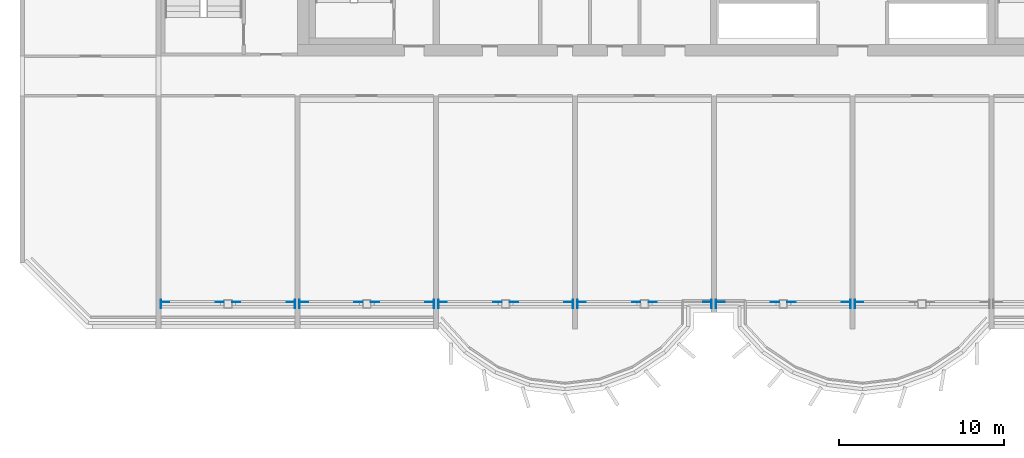
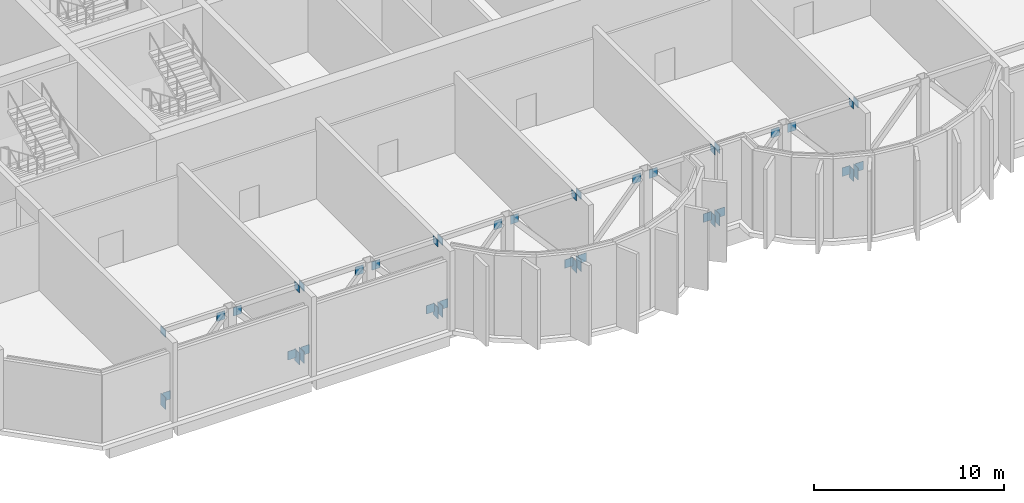
# One storey, part 8 of 15: 43 discrete accessories.
"""IFC4 building model written with IfcOpenShell, lengths in metres."""

from ifc_helpers import new_model, si_unit, direction, frame, origin, origin_2d, place, context, subcontext, project, spatial, rectangle, extrude, source, transform, mapped, material, layer, layer_set, type_object, element, save


model = new_model("IFC4")

# Units and contexts
model_context = context("Model", 3, precision=1e-05, world=origin(), true_north=direction((0.0, 1.0)))
body_context = subcontext(model_context, "Body", "Model", "MODEL_VIEW")
ifc_project = project(units=[si_unit("LENGTHUNIT", "METRE"), si_unit("AREAUNIT", "SQUARE_METRE"), si_unit("VOLUMEUNIT", "CUBIC_METRE"), si_unit("PLANEANGLEUNIT", "RADIAN"), si_unit("MASSUNIT", "GRAM", prefix="KILO")], contexts=[model_context])

# Site, building, storey
site_placement = place(None, origin())
site = spatial("IfcSite", under=ifc_project, at=site_placement, CompositionType="ELEMENT")
building_placement = place(site_placement, origin())
building = spatial("IfcBuilding", under=site, at=building_placement, Name="Vanashikhar Sky Hotel", CompositionType="ELEMENT")
storey_placement = place(building_placement, frame((0.0, 0.0, 201.0)))
storey = spatial("IfcBuildingStorey", under=building, at=storey_placement, Name="L49", CompositionType="ELEMENT", Elevation=201.0)

# Discrete accessories
ifc_material = material(Name="Steel S355", Category="steel")
ifc_layer_1 = layer(ifc_material, 0.030029296875)
ifc_layer_set_1 = layer_set([ifc_layer_1], Name="Cast-in anchor plate 500x750x30")
discrete_accessory_type_1 = type_object("IfcDiscreteAccessoryType", Name="Cast-in anchor plate 500x750x30", PredefinedType="ANCHORPLATE", material=ifc_layer_set_1)
shared_shape_1 = source(origin(), body_context, "Body", "SweptSolid", [
    extrude(rectangle(XDim=0.030029296875, YDim=0.5, at=origin_2d()), origin(), (0.0, 0.0, 1.0), 0.75),
])
for number, where, z_axis, x_axis, name in (
    (1, (16.93505859375, 7.0, 0.02490234375), (0.0, 0.0, 1.0), (1.0, 0.0, 0.0), "EP-L49-F01AB"),
    (2, (25.06494140625, 7.0, 0.02490234375), (0.0, 0.0, 1.0), (1.0, 0.0, 0.0), "EP-L49-F01BB"),
    (3, (25.3349609375, 7.0, 0.02490234375), (0.0, 0.0, 1.0), (1.0, 0.0, 0.0), "EP-L49-F02AB"),
    (4, (33.465087890625, 7.0, 0.02490234375), (0.0, 0.0, 1.0), (1.0, 0.0, 0.0), "EP-L49-F02BB"),
    (5, (33.735107421875, 7.0, 0.02490234375), (0.0, 0.0, 1.0), (1.0, 0.0, 0.0), "EP-L49-F03AB"),
    (6, (41.864990234375, 7.0, 0.02490234375), (0.0, 0.0, 1.0), (1.0, 0.0, 0.0), "EP-L49-F03BB"),
    (7, (42.135009765625, 7.0, 0.02490234375), (0.0, 0.0, 1.0), (1.0, 0.0, 0.0), "EP-L49-F04AB"),
    (8, (50.264892578125, 7.0, 0.02490234375), (0.0, 0.0, 1.0), (1.0, 0.0, 0.0), "EP-L49-F04BB"),
    (9, (50.534912109375, 7.0, 0.02490234375), (0.0, 0.0, 1.0), (1.0, 0.0, 0.0), "EP-L49-F05AB"),
    (10, (58.6650390625, 7.0, 0.02490234375), (0.0, 0.0, 1.0), (1.0, 0.0, 0.0), "EP-L49-F05BB"),
    (11, (58.93505859375, 7.0, 0.02490234375), (0.0, 0.0, 1.0), (1.0, 0.0, 0.0), "EP-L49-F06AB"),
):
    element("IfcDiscreteAccessory", number, at=place(storey_placement, frame(where, z_axis=z_axis, x_axis=x_axis)), inside=storey, type_object=discrete_accessory_type_1, Name=name, PredefinedType="ANCHORPLATE", context=body_context, shape_type="MappedRepresentation", body=[
        mapped(shared_shape_1, transform((0.0, 0.0, 0.0), scale=1.0)),
    ])
ifc_layer_2 = layer(ifc_material, 0.030029296875)
ifc_layer_set_2 = layer_set([ifc_layer_2], Name="Cast-in anchor plate 500x450x30")
discrete_accessory_type_2 = type_object("IfcDiscreteAccessoryType", Name="Cast-in anchor plate 500x450x30", PredefinedType="ANCHORPLATE", material=ifc_layer_set_2)
shared_shape_2 = source(origin(), body_context, "Body", "SweptSolid", [
    extrude(rectangle(XDim=0.030029296875, YDim=0.5, at=origin_2d()), origin(), (0.0, 0.0, 1.0), 0.449951171875),
])
for number, where, z_axis, x_axis, name in (
    (12, (16.93505859375, 7.0, 4.64501953125), (0.0, 0.0, 1.0), (1.0, 0.0, 0.0), "EP-L49-F01AT"),
    (13, (25.06494140625, 7.0, 4.64501953125), (0.0, 0.0, 1.0), (1.0, 0.0, 0.0), "EP-L49-F01BT"),
    (14, (25.3349609375, 7.0, 4.64501953125), (0.0, 0.0, 1.0), (1.0, 0.0, 0.0), "EP-L49-F02AT"),
    (15, (33.465087890625, 7.0, 4.64501953125), (0.0, 0.0, 1.0), (1.0, 0.0, 0.0), "EP-L49-F02BT"),
    (16, (33.735107421875, 7.0, 4.64501953125), (0.0, 0.0, 1.0), (1.0, 0.0, 0.0), "EP-L49-F03AT"),
    (17, (41.864990234375, 7.0, 4.64501953125), (0.0, 0.0, 1.0), (1.0, 0.0, 0.0), "EP-L49-F03BT"),
    (18, (42.135009765625, 7.0, 4.64501953125), (0.0, 0.0, 1.0), (1.0, 0.0, 0.0), "EP-L49-F04AT"),
    (19, (50.264892578125, 7.0, 4.64501953125), (0.0, 0.0, 1.0), (1.0, 0.0, 0.0), "EP-L49-F04BT"),
    (20, (50.534912109375, 7.0, 4.64501953125), (0.0, 0.0, 1.0), (1.0, 0.0, 0.0), "EP-L49-F05AT"),
    (21, (58.6650390625, 7.0, 4.64501953125), (0.0, 0.0, 1.0), (1.0, 0.0, 0.0), "EP-L49-F05BT"),
    (22, (58.93505859375, 7.0, 4.64501953125), (0.0, 0.0, 1.0), (1.0, 0.0, 0.0), "EP-L49-F06AT"),
):
    element("IfcDiscreteAccessory", number, at=place(storey_placement, frame(where, z_axis=z_axis, x_axis=x_axis)), inside=storey, type_object=discrete_accessory_type_2, Name=name, PredefinedType="ANCHORPLATE", context=body_context, shape_type="MappedRepresentation", body=[
        mapped(shared_shape_2, transform((0.0, 0.0, 0.0), scale=1.0)),
    ])
ifc_layer_3 = layer(ifc_material, 0.02490234375)
ifc_layer_set_3 = layer_set([ifc_layer_3], Name="Truss gusset plate 500x550x25")
discrete_accessory_type_3 = type_object("IfcDiscreteAccessoryType", Name="Truss gusset plate 500x550x25", PredefinedType="BRACKET", material=ifc_layer_set_3)
shared_shape_3 = source(origin(), body_context, "Body", "SweptSolid", [
    extrude(rectangle(XDim=0.5, YDim=0.02490234375, at=origin_2d()), origin(), (0.0, 0.0, 1.0), 0.550048828125),
])
for number, where, z_axis, x_axis, name in (
    (23, (17.199951171875, 7.112548828125, 0.2998046875), (0.0, 0.0, 1.0), (1.0, 0.0, 0.0), "GS-L49-F01LA"),
    (24, (20.5, 7.112548828125, 4.27001953125), (0.0, 0.0, 1.0), (1.0, 0.0, 0.0), "GS-L49-F01LB"),
    (25, (24.800048828125, 7.112548828125, 0.2998046875), (0.0, 0.0, 1.0), (1.0, 0.0, 0.0), "GS-L49-F01RA"),
    (26, (21.5, 7.112548828125, 4.27001953125), (0.0, 0.0, 1.0), (1.0, 0.0, 0.0), "GS-L49-F01RB"),
    (27, (25.60009765625, 7.112548828125, 0.2998046875), (0.0, 0.0, 1.0), (1.0, 0.0, 0.0), "GS-L49-F02LA"),
    (28, (28.89990234375, 7.112548828125, 4.27001953125), (0.0, 0.0, 1.0), (1.0, 0.0, 0.0), "GS-L49-F02LB"),
    (29, (33.199951171875, 7.112548828125, 0.2998046875), (0.0, 0.0, 1.0), (1.0, 0.0, 0.0), "GS-L49-F02RA"),
    (30, (29.89990234375, 7.112548828125, 4.27001953125), (0.0, 0.0, 1.0), (1.0, 0.0, 0.0), "GS-L49-F02RB"),
    (31, (34.0, 7.112548828125, 0.2998046875), (0.0, 0.0, 1.0), (1.0, 0.0, 0.0), "GS-L49-F03LA"),
    (32, (37.300048828125, 7.112548828125, 4.27001953125), (0.0, 0.0, 1.0), (1.0, 0.0, 0.0), "GS-L49-F03LB"),
    (33, (41.60009765625, 7.112548828125, 0.2998046875), (0.0, 0.0, 1.0), (1.0, 0.0, 0.0), "GS-L49-F03RA"),
    (34, (38.300048828125, 7.112548828125, 4.27001953125), (0.0, 0.0, 1.0), (1.0, 0.0, 0.0), "GS-L49-F03RB"),
    (35, (42.39990234375, 7.112548828125, 0.2998046875), (0.0, 0.0, 1.0), (1.0, 0.0, 0.0), "GS-L49-F04LA"),
    (36, (45.699951171875, 7.112548828125, 4.27001953125), (0.0, 0.0, 1.0), (1.0, 0.0, 0.0), "GS-L49-F04LB"),
    (37, (50.0, 7.112548828125, 0.2998046875), (0.0, 0.0, 1.0), (1.0, 0.0, 0.0), "GS-L49-F04RA"),
    (38, (46.699951171875, 7.112548828125, 4.27001953125), (0.0, 0.0, 1.0), (1.0, 0.0, 0.0), "GS-L49-F04RB"),
    (39, (50.800048828125, 7.112548828125, 0.2998046875), (0.0, 0.0, 1.0), (1.0, 0.0, 0.0), "GS-L49-F05LA"),
    (40, (54.10009765625, 7.112548828125, 4.27001953125), (0.0, 0.0, 1.0), (1.0, 0.0, 0.0), "GS-L49-F05LB"),
    (41, (58.39990234375, 7.112548828125, 0.2998046875), (0.0, 0.0, 1.0), (1.0, 0.0, 0.0), "GS-L49-F05RA"),
    (42, (55.10009765625, 7.112548828125, 4.27001953125), (0.0, 0.0, 1.0), (1.0, 0.0, 0.0), "GS-L49-F05RB"),
    (43, (59.199951171875, 7.112548828125, 0.2998046875), (0.0, 0.0, 1.0), (1.0, 0.0, 0.0), "GS-L49-F06LA"),
):
    element("IfcDiscreteAccessory", number, at=place(storey_placement, frame(where, z_axis=z_axis, x_axis=x_axis)), inside=storey, type_object=discrete_accessory_type_3, Name=name, PredefinedType="BRACKET", context=body_context, shape_type="MappedRepresentation", body=[
        mapped(shared_shape_3, transform((0.0, 0.0, 0.0), scale=1.0)),
    ])

save(model, "model.ifc")
